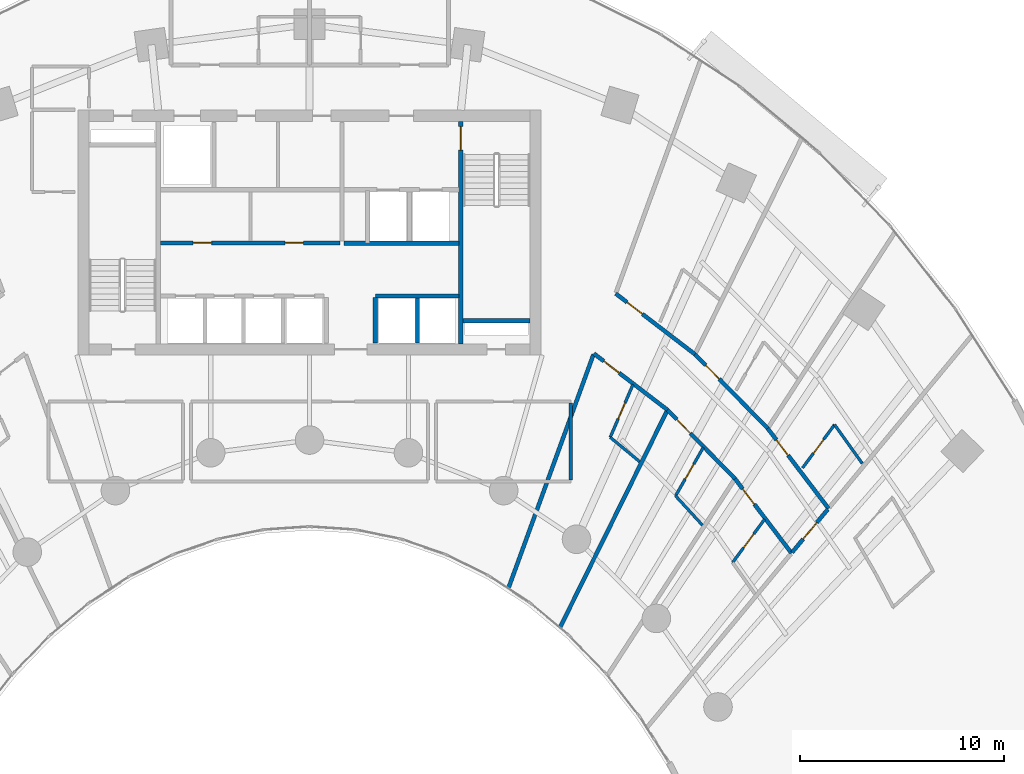
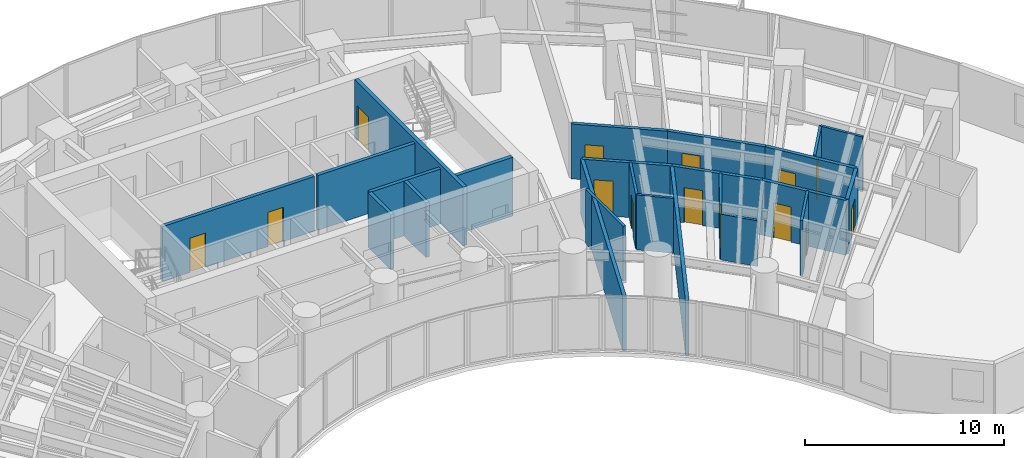
# One storey, part 13 of 18: 24 walls, 14 doors, 14 openings.
"""IFC4 building model written with IfcOpenShell, lengths in metres."""

import ifcopenshell
import ifcopenshell.guid

model = None  # the IFC model being written
_history = None  # IfcOwnerHistory: only IFC2X3 demands one
_inside = {}  # id of a spatial element -> (the spatial element, [elements in it])
_under = {}  # id of a project, library or spatial element -> (it, [spatial elements below it])
_declared = {}  # id of a project -> (the project, [libraries it declares])
_typed = {}  # id of a type object -> (the type object, [elements of that type])
_made_of = {}  # id of a material, layer set ... -> (it, [elements and type objects made of it])


def new_model(schema):
    """Start an empty IFC model of exactly this schema.

    Asked for "IFC4X3", IfcOpenShell would pick the latest addendum, in which some entities
    have other attributes; the version numbers below select the first issue.
    IFC2X3 requires an IfcOwnerHistory on every rooted entity: one is made here for all.
    """
    global model, _history
    if schema == "IFC4X3":
        model = ifcopenshell.file(schema_version=(4, 3, 0, 0))
    else:
        model = ifcopenshell.file(schema=schema)
    _inside.clear()
    _under.clear()
    _declared.clear()
    _typed.clear()
    _made_of.clear()
    _history = None
    if model.schema == "IFC2X3":
        org = make("IfcOrganization", Name="unknown")
        user = make(
            "IfcPersonAndOrganization",
            ThePerson=make("IfcPerson", FamilyName="unknown"),
            TheOrganization=org,
        )
        app = make(
            "IfcApplication",
            ApplicationDeveloper=org,
            Version="unknown",
            ApplicationFullName="unknown",
            ApplicationIdentifier="unknown",
        )
        _history = make(
            "IfcOwnerHistory",
            OwningUser=user,
            OwningApplication=app,
            ChangeAction="ADDED",
            CreationDate=0,
        )
    return model


def make(cls, **values):
    """One entity of the class cls with the attributes given. An attribute that is None is left unset."""
    return model.create_entity(
        cls, **{name: value for name, value in values.items() if value is not None}
    )


def rooted(cls, **values):
    """An entity with a GlobalId (a new one), such as an element, a storey or a relation."""
    return make(cls, GlobalId=ifcopenshell.guid.new(), OwnerHistory=_history, **values)


def si_unit(unit_type, name, prefix=None):
    """IfcSIUnit, for example si_unit("LENGTHUNIT", "METRE", prefix="MILLI")."""
    return make("IfcSIUnit", UnitType=unit_type, Prefix=prefix, Name=name)


def assignment(units):
    """IfcUnitAssignment: the units of a project."""
    return None if units is None else make("IfcUnitAssignment", Units=units)


def point(xyz):
    """IfcCartesianPoint."""
    return None if xyz is None else make("IfcCartesianPoint", Coordinates=xyz)


def direction(xyz):
    """IfcDirection."""
    return None if xyz is None else make("IfcDirection", DirectionRatios=xyz)


def frame(location, z_axis=None, x_axis=None):
    """IfcAxis2Placement3D, a coordinate frame: its origin and axes. An axis left out is left unset."""
    return make(
        "IfcAxis2Placement3D",
        Location=point(location),
        Axis=direction(z_axis),
        RefDirection=direction(x_axis),
    )


def frame_2d(location, x_axis=None):
    """IfcAxis2Placement2D, a coordinate frame in the plane: its origin and x axis."""
    return make(
        "IfcAxis2Placement2D", Location=point(location), RefDirection=direction(x_axis)
    )


def origin():
    """The frame at (0, 0, 0) with its axes left unset."""
    return frame((0.0, 0.0, 0.0))


def place(relative_to, where):
    """IfcLocalPlacement: puts the frame where relative to a parent placement (None: the world)."""
    return make(
        "IfcLocalPlacement", PlacementRelTo=relative_to, RelativePlacement=where
    )


def context(
    kind, dimensions, precision=None, world=None, true_north=None, identifier=None
):
    """IfcGeometricRepresentationContext, for example the 3D "Model" context."""
    return make(
        "IfcGeometricRepresentationContext",
        ContextIdentifier=identifier,
        ContextType=kind,
        CoordinateSpaceDimension=dimensions,
        Precision=precision,
        WorldCoordinateSystem=world,
        TrueNorth=true_north,
    )


def subcontext(parent, identifier, kind, view, scale=None):
    """IfcGeometricRepresentationSubContext, for example "Body" below "Model"."""
    return make(
        "IfcGeometricRepresentationSubContext",
        ContextIdentifier=identifier,
        ContextType=kind,
        ParentContext=parent,
        TargetScale=scale,
        TargetView=view,
    )


def project(units=None, contexts=None):
    """IfcProject with its units and contexts."""
    return rooted(
        "IfcProject",
        Name="project",
        RepresentationContexts=contexts,
        UnitsInContext=assignment(units),
    )


def spatial(cls, under=None, at=None, **own):
    """A site, building, storey or space (cls), placed at a placement, below another one or the project."""
    s = rooted(cls, ObjectPlacement=at, **own)
    if under is not None:
        _under.setdefault(under.id(), (under, []))[1].append(s)
    return s


def profile(cls, at=None, kind="AREA", **sizes):
    """A parametric profile (cls). Its sizes go by their IFC names, for example OverallWidth=200.0."""
    return make(cls, ProfileType=kind, Position=at, **sizes)


def rectangle(**sizes):
    """IfcRectangleProfileDef."""
    return profile("IfcRectangleProfileDef", **sizes)


def extrude(swept, where, along, depth):
    """IfcExtrudedAreaSolid: the profile swept, set in the frame where, extruded along a direction by depth."""
    return make(
        "IfcExtrudedAreaSolid",
        SweptArea=swept,
        Position=where,
        ExtrudedDirection=direction(along),
        Depth=depth,
    )


def shape(context_of_items, identifier, shape_type, items):
    """IfcShapeRepresentation: the items that make up one representation, for example the "Body"."""
    return make(
        "IfcShapeRepresentation",
        ContextOfItems=context_of_items,
        RepresentationIdentifier=identifier,
        RepresentationType=shape_type,
        Items=items,
    )


def source(mapping_origin, context_of_items, identifier, shape_type, items):
    """IfcRepresentationMap: a shape defined once, which mapped items show again and again."""
    return make(
        "IfcRepresentationMap",
        MappingOrigin=mapping_origin,
        MappedRepresentation=shape(context_of_items, identifier, shape_type, items),
    )


def transform(
    local_origin,
    x_axis=None,
    y_axis=None,
    z_axis=None,
    scale=None,
    scale2=None,
    scale3=None,
    uniform=True,
):
    """IfcCartesianTransformationOperator3D, or its non-uniform kind. x_axis, y_axis, z_axis: its Axis1, 2, 3."""
    if uniform:
        return make(
            "IfcCartesianTransformationOperator3D",
            Axis1=direction(x_axis),
            Axis2=direction(y_axis),
            LocalOrigin=point(local_origin),
            Scale=scale,
            Axis3=direction(z_axis),
        )
    return make(
        "IfcCartesianTransformationOperator3DnonUniform",
        Axis1=direction(x_axis),
        Axis2=direction(y_axis),
        LocalOrigin=point(local_origin),
        Scale=scale,
        Axis3=direction(z_axis),
        Scale2=scale2,
        Scale3=scale3,
    )


def mapped(mapping_source, mapping_target):
    """IfcMappedItem: shows the shape of a source again, moved by a transform."""
    return make(
        "IfcMappedItem", MappingSource=mapping_source, MappingTarget=mapping_target
    )


def material(Name=None, Category=None):
    """IfcMaterial."""
    return make("IfcMaterial", Name=Name, Category=Category)


def layer(
    of_material, thickness, ventilated=None, Name=None, Category=None, Priority=None
):
    """IfcMaterialLayer: one layer of a wall or slab, of a material (None: an air gap)."""
    return make(
        "IfcMaterialLayer",
        Material=of_material,
        LayerThickness=thickness,
        IsVentilated=ventilated,
        Name=Name,
        Category=Category,
        Priority=Priority,
    )


def layer_set(layers, Name=None):
    """IfcMaterialLayerSet."""
    return make("IfcMaterialLayerSet", MaterialLayers=layers, LayerSetName=Name)


def made_of(thing, what):
    """Note that an element or type object is made of a material, layer set ...; save() writes the relation."""
    if what is not None:
        _made_of.setdefault(what.id(), (what, []))[1].append(thing)
    return thing


def type_object(cls, material=None, **own):
    """A type object (cls), such as IfcWallType, which elements share."""
    return made_of(rooted(cls, **own), material)


def type_shapes(of_type, sources):
    """Give a type object the sources (RepresentationMaps) that its elements show as mapped items."""
    of_type.RepresentationMaps = sources


def element(
    cls,
    number,
    at=None,
    inside=None,
    cuts=None,
    type_object=None,
    material=None,
    context=None,
    identifier="Body",
    shape_type=None,
    held_by="IfcProductDefinitionShape",
    body=None,
    shapes=None,
    **own,
):
    """One element of the class cls, such as IfcWall. Its Tag is "e" and its number.

    at: its placement. inside: the storey or other place that contains it. cuts: it is an
    opening in that element (IfcRelVoidsElement). A single representation is given by context,
    identifier, shape_type and body (its items); several are given by shapes. held_by: the class
    of the entity that holds the representations. save() writes the other relations.
    """
    e = rooted(cls, Tag="e%d" % number, ObjectPlacement=at, **own)
    if body is not None:
        shapes = [shape(context, identifier, shape_type, body)]
    if shapes is not None:
        e.Representation = make(held_by, Representations=shapes)
    if inside is not None:
        _inside.setdefault(inside.id(), (inside, []))[1].append(e)
    if cuts is not None:
        rooted(
            "IfcRelVoidsElement", RelatingBuildingElement=cuts, RelatedOpeningElement=e
        )
    if type_object is not None:
        _typed.setdefault(type_object.id(), (type_object, []))[1].append(e)
    return made_of(e, material)


def fill(opening, filler):
    """IfcRelFillsElement: the door or window that sits in an opening."""
    return rooted(
        "IfcRelFillsElement",
        RelatingOpeningElement=opening,
        RelatedBuildingElement=filler,
    )


def aggregate(whole, parts):
    """IfcRelAggregates: a whole, such as a stair, and the parts it consists of."""
    return rooted("IfcRelAggregates", RelatingObject=whole, RelatedObjects=parts)


def save(model, path):
    """Write the relations noted so far, then the file.

    IfcRelAggregates (storeys below a building ...), IfcRelContainedInSpatialStructure (elements
    in a storey), IfcRelDefinesByType, IfcRelAssociatesMaterial and IfcRelDeclares: one each for
    every whole, place, type object, material and project.
    """
    for whole, parts in _under.values():
        aggregate(whole, parts)
    for where, things in _inside.values():
        rooted(
            "IfcRelContainedInSpatialStructure",
            RelatedElements=things,
            RelatingStructure=where,
        )
    for kind, things in _typed.values():
        rooted("IfcRelDefinesByType", RelatedObjects=things, RelatingType=kind)
    for what, things in _made_of.values():
        rooted("IfcRelAssociatesMaterial", RelatedObjects=things, RelatingMaterial=what)
    for by, libraries in _declared.values():
        rooted("IfcRelDeclares", RelatingContext=by, RelatedDefinitions=libraries)
    model.write(path)


model = new_model("IFC4")

# Units and contexts
model_context = context("Model", 3, precision=1e-05, world=origin(), true_north=direction((0.0, 1.0)))
body_context = subcontext(model_context, "Body", "Model", "MODEL_VIEW")
ifc_project = project(units=[si_unit("LENGTHUNIT", "METRE"), si_unit("AREAUNIT", "SQUARE_METRE"), si_unit("VOLUMEUNIT", "CUBIC_METRE"), si_unit("PLANEANGLEUNIT", "RADIAN"), si_unit("MASSUNIT", "GRAM", prefix="KILO")], contexts=[model_context])

# Site, building, storey
site_placement = place(None, origin())
site = spatial("IfcSite", under=ifc_project, at=site_placement, CompositionType="ELEMENT")
building_placement = place(site_placement, origin())
building = spatial("IfcBuilding", under=site, at=building_placement, Name="Breltana Convention Tower", CompositionType="ELEMENT")
storey_placement = place(building_placement, frame((0.0, 0.0, 42.60009765625)))
storey = spatial("IfcBuildingStorey", under=building, at=storey_placement, Name="L08", CompositionType="ELEMENT", Elevation=42.60009765625)

# Wall
ifc_material_1 = material(Name="Concrete C50/60", Category="concrete")
ifc_layer_1 = layer(ifc_material_1, 0.39990234375, Name="Concrete C50/60")
ifc_layer_set_1 = layer_set([ifc_layer_1], Name="Concrete C50/60")
wall_type_1 = type_object("IfcWallType", Name="SW-CORE-400", PredefinedType="SHEAR", material=ifc_layer_set_1)
shared_shape_1 = source(origin(), body_context, "Body", "SweptSolid", [
    extrude(rectangle(XDim=3.27001953125, YDim=0.219970703125, at=frame_2d((1.635009765625, 0.0))), origin(), (0.0, 0.0, 1.0), 3.599853515625),
])
wall_1_placement = place(storey_placement, frame((55.530029296875, 61.889892578125, 0.0), z_axis=(0.0, 0.0, 1.0), x_axis=(1.0, 0.0, 0.0)))
element("IfcWall", 1, at=wall_1_placement, inside=storey, type_object=wall_type_1, Name="L08 ST-2 Stairwell South Bearing Wall", PredefinedType="SHEAR", context=body_context, shape_type="MappedRepresentation", body=[
    mapped(shared_shape_1, transform((0.0, 0.0, 0.0), scale=1.0)),
])

# Wall, opening, door
shared_shape_2 = source(origin(), body_context, "Body", "SweptSolid", [
    extrude(rectangle(XDim=10.89990234375, YDim=0.219970703125, at=frame_2d((5.449951171875, 0.0))), origin(), (0.0, 0.0, 1.0), 3.599853515625),
])
wall_2_placement = place(storey_placement, frame((55.419921875, 60.75, 0.0), z_axis=(0.0, 0.0, 1.0), x_axis=(0.0, 1.0, 0.0)))
wall_2 = element("IfcWall", 2, at=wall_2_placement, inside=storey, type_object=wall_type_1, Name="L08 Core East Stair Spine Wall", PredefinedType="SHEAR", context=body_context, shape_type="MappedRepresentation", body=[
    mapped(shared_shape_2, transform((0.0, 0.0, 0.0), scale=1.0)),
])
opening_1_placement = place(wall_2_placement, frame((9.4951171875, 0.0, 0.0)))
opening_1 = element("IfcOpeningElement", 3, at=opening_1_placement, cuts=wall_2, Name="Opening D-11", PredefinedType="OPENING", context=body_context, shape_type="SweptSolid", body=[
    extrude(rectangle(XDim=1.14990234375, YDim=2.14990234375, at=frame_2d((0.574951171875, 1.074951171875))), frame((0.0, 0.1201171875, 0.0), z_axis=(0.0, -1.0, 0.0), x_axis=(1.0, 0.0, 0.0)), (0.0, 0.0, 1.0), 0.239990234375),
])
ifc_material_2 = material(Name="Steel Stair Exit Door", Category="steel")
door_type_1 = type_object("IfcDoorType", Name="DR-FD120-1150", OperationType="NOTDEFINED", PredefinedType="DOOR", material=ifc_material_2)
shared_shape_3 = source(origin(), body_context, "Body", "SweptSolid", [
    extrude(rectangle(XDim=1.14990234375, YDim=2.14990234375, at=frame_2d((0.574951171875, 1.074951171875))), frame((0.0, 0.02490234375, 0.0), z_axis=(0.0, -1.0, 0.0), x_axis=(1.0, 0.0, 0.0)), (0.0, 0.0, 1.0), 0.050048828125),
])
type_shapes(door_type_1, [shared_shape_3])
door_1_placement = place(opening_1_placement, origin())
door_1 = element("IfcDoor", 4, at=door_1_placement, inside=storey, type_object=door_type_1, Name="L08 interior door D-L08-ST2", OperationType="SINGLE_SWING_LEFT", OverallHeight=2.14990234375, OverallWidth=1.14990234375, PredefinedType="DOOR", context=body_context, shape_type="MappedRepresentation", body=[
    mapped(shared_shape_3, transform((0.0, 0.0, 0.0), scale=1.0)),
])
fill(opening_1, door_1)

# Walls
ifc_material_3 = material(Name="Moisture-Resistant En-Suite Partition")
ifc_layer_2 = layer(ifc_material_3, 0.139892578125, Name="Moisture-Resistant En-Suite Partition")
ifc_layer_set_2 = layer_set([ifc_layer_2], Name="Moisture-Resistant En-Suite Partition")
wall_type_2 = type_object("IfcWallType", Name="WL-WET-150", PredefinedType="PARTITIONING", material=ifc_layer_set_2)
shared_shape_4 = source(origin(), body_context, "Body", "SweptSolid", [
    extrude(rectangle(XDim=1.946533203125, YDim=0.139892578125, at=frame_2d((0.97314453125, 0.0))), origin(), (0.0, 0.0, 1.0), 2.802978515625),
])
wall_3_placement = place(storey_placement, frame((65.936279296875, 53.2998046875, 0.0), z_axis=(0.0, 0.0, 1.0), x_axis=(0.675383794012, -0.737466426888, 0.0)))
element("IfcWall", 5, at=wall_3_placement, inside=storey, type_object=wall_type_2, Name="L08 interior partition W-L08-HK10E-BK", PredefinedType="PARTITIONING", context=body_context, shape_type="MappedRepresentation", body=[
    mapped(shared_shape_4, transform((0.0, 0.0, 0.0), scale=1.0)),
])
ifc_material_4 = material(Name="Autoclaved Aerated Concrete Block", Category="concrete")
ifc_layer_3 = layer(ifc_material_4, 0.199951171875, Name="Autoclaved Aerated Concrete Block")
ifc_layer_set_3 = layer_set([ifc_layer_3], Name="Autoclaved Aerated Concrete Block")
wall_type_3 = type_object("IfcWallType", Name="WL-SHAFT-200", PredefinedType="SOLIDWALL", material=ifc_layer_set_3)
shared_shape_5 = source(origin(), body_context, "Body", "SweptSolid", [
    extrude(rectangle(XDim=2.239990234375, YDim=0.199951171875, at=frame_2d((1.1201171875, 0.0))), origin(), (0.0, 0.0, 1.0), 3.35986328125),
])
wall_4_placement = place(storey_placement, frame((51.219970703125, 60.780029296875, 0.0), z_axis=(0.0, 0.0, 1.0), x_axis=(0.0, 1.0, 0.0)))
element("IfcWall", 6, at=wall_4_placement, inside=storey, type_object=wall_type_3, Name="L08 interior partition W-L08-PORT-E", PredefinedType="SOLIDWALL", context=body_context, shape_type="MappedRepresentation", body=[
    mapped(shared_shape_5, transform((0.0, 0.0, 0.0), scale=1.0)),
])
shared_shape_6 = source(origin(), body_context, "Body", "SweptSolid", [
    extrude(rectangle(XDim=5.6201171875, YDim=0.199951171875, at=frame_2d((2.81005859375, 0.0))), origin(), (0.0, 0.0, 1.0), 3.35986328125),
])
wall_5_placement = place(storey_placement, frame((49.699951171875, 65.679931640625, 0.0), z_axis=(0.0, 0.0, 1.0), x_axis=(1.0, 0.0, 0.0)))
element("IfcWall", 7, at=wall_5_placement, inside=storey, type_object=wall_type_3, Name="L08 interior partition W-L08-FL-S", PredefinedType="SOLIDWALL", context=body_context, shape_type="MappedRepresentation", body=[
    mapped(shared_shape_6, transform((0.0, 0.0, 0.0), scale=1.0)),
])

# Wall, openings, doors
shared_shape_7 = source(origin(), body_context, "Body", "SweptSolid", [
    extrude(rectangle(XDim=8.800048828125, YDim=0.199951171875, at=frame_2d((4.39990234375, 0.0))), origin(), (0.0, 0.0, 1.0), 3.35986328125),
])
wall_6_placement = place(storey_placement, frame((40.699951171875, 65.699951171875, 0.0), z_axis=(0.0, 0.0, 1.0), x_axis=(1.0, 0.0, 0.0)))
wall_6 = element("IfcWall", 8, at=wall_6_placement, inside=storey, type_object=wall_type_3, Name="L08 interior partition W-L08-SH-M-FRONT", PredefinedType="SOLIDWALL", context=body_context, shape_type="MappedRepresentation", body=[
    mapped(shared_shape_7, transform((0.0, 0.0, 0.0), scale=1.0)),
])
opening_2_placement = place(wall_6_placement, frame((1.60009765625, 0.0, 0.0)))
opening_2 = element("IfcOpeningElement", 9, at=opening_2_placement, cuts=wall_6, Name="Opening D-18", PredefinedType="OPENING", context=body_context, shape_type="SweptSolid", body=[
    extrude(rectangle(XDim=0.89990234375, YDim=2.10009765625, at=frame_2d((0.449951171875, 1.050048828125))), frame((0.0, 0.10986328125, 0.0), z_axis=(0.0, -1.0, 0.0), x_axis=(1.0, 0.0, 0.0)), (0.0, 0.0, 1.0), 0.219970703125),
])
opening_3_placement = place(wall_6_placement, frame((6.10009765625, 0.0, 0.0)))
opening_3 = element("IfcOpeningElement", 10, at=opening_3_placement, cuts=wall_6, Name="Opening D-18", PredefinedType="OPENING", context=body_context, shape_type="SweptSolid", body=[
    extrude(rectangle(XDim=0.89990234375, YDim=2.10009765625, at=frame_2d((0.449951171875, 1.050048828125))), frame((0.0, 0.10986328125, 0.0), z_axis=(0.0, -1.0, 0.0), x_axis=(1.0, 0.0, 0.0)), (0.0, 0.0, 1.0), 0.219970703125),
])
ifc_material_5 = material(Name="Steel Riser Fire Door", Category="steel")
door_type_2 = type_object("IfcDoorType", Name="DR-FD60-900", OperationType="NOTDEFINED", PredefinedType="DOOR", material=ifc_material_5)
shared_shape_8 = source(origin(), body_context, "Body", "SweptSolid", [
    extrude(rectangle(XDim=0.89990234375, YDim=2.10009765625, at=frame_2d((0.449951171875, 1.050048828125))), frame((0.0, 0.02490234375, 0.0), z_axis=(0.0, -1.0, 0.0), x_axis=(1.0, 0.0, 0.0)), (0.0, 0.0, 1.0), 0.050048828125),
])
type_shapes(door_type_2, [shared_shape_8])
door_2_placement = place(opening_2_placement, origin())
door_2 = element("IfcDoor", 11, at=door_2_placement, inside=storey, type_object=door_type_2, Name="L08 interior door D-L08-LV7-B2A", OperationType="SINGLE_SWING_RIGHT", OverallHeight=2.10009765625, OverallWidth=0.89990234375, PredefinedType="DOOR", context=body_context, shape_type="MappedRepresentation", body=[
    mapped(shared_shape_8, transform((0.0, 0.0, 0.0), scale=1.0)),
])
fill(opening_2, door_2)
door_3_placement = place(opening_3_placement, origin())
door_3 = element("IfcDoor", 12, at=door_3_placement, inside=storey, type_object=door_type_2, Name="L08 interior door D-L08-LV7-B2B", OperationType="SINGLE_SWING_LEFT", OverallHeight=2.10009765625, OverallWidth=0.89990234375, PredefinedType="DOOR", context=body_context, shape_type="MappedRepresentation", body=[
    mapped(shared_shape_8, transform((0.0, 0.0, 0.0), scale=1.0)),
])
fill(opening_3, door_3)

# Walls
shared_shape_9 = source(origin(), body_context, "Body", "SweptSolid", [
    extrude(rectangle(XDim=4.10009765625, YDim=0.199951171875, at=frame_2d((2.050048828125, 0.0))), origin(), (0.0, 0.0, 1.0), 3.35986328125),
])
wall_7_placement = place(storey_placement, frame((51.219970703125, 63.10009765625, 0.0), z_axis=(0.0, 0.0, 1.0), x_axis=(1.0, 0.0, 0.0)))
element("IfcWall", 13, at=wall_7_placement, inside=storey, type_object=wall_type_3, Name="L08 interior partition W-L08-SH-X-FRONT", PredefinedType="SOLIDWALL", context=body_context, shape_type="MappedRepresentation", body=[
    mapped(shared_shape_9, transform((0.0, 0.0, 0.0), scale=1.0)),
])
shared_shape_10 = source(origin(), body_context, "Body", "SweptSolid", [
    extrude(rectangle(XDim=2.199951171875, YDim=0.199951171875, at=frame_2d((1.10009765625, 0.0))), origin(), (0.0, 0.0, 1.0), 3.35986328125),
])
wall_8_placement = place(storey_placement, frame((53.280029296875, 60.800048828125, 0.0), z_axis=(0.0, 0.0, 1.0), x_axis=(0.0, 1.0, 0.0)))
element("IfcWall", 14, at=wall_8_placement, inside=storey, type_object=wall_type_3, Name="L08 interior partition W-L08-SH-X-DIV", PredefinedType="SOLIDWALL", context=body_context, shape_type="MappedRepresentation", body=[
    mapped(shared_shape_10, transform((0.0, 0.0, 0.0), scale=1.0)),
])
ifc_material_6 = material(Name="Gypsum Acoustic Drywall Partition")
ifc_layer_4 = layer(ifc_material_6, 0.14990234375, Name="Gypsum Acoustic Drywall Partition")
ifc_layer_set_4 = layer_set([ifc_layer_4], Name="Gypsum Acoustic Drywall Partition")
wall_type_4 = type_object("IfcWallType", Name="WL-PART-150", PredefinedType="PARTITIONING", material=ifc_layer_set_4)
shared_shape_11 = source(origin(), body_context, "Body", "SweptSolid", [
    extrude(rectangle(XDim=3.78515625, YDim=0.14990234375, at=frame_2d((1.892578125, 0.0))), origin(), (0.0, 0.0, 1.0), 3.35986328125),
])
wall_9_placement = place(storey_placement, frame((60.800048828125, 54.0673828125, 0.0), z_axis=(0.0, 0.0, 1.0), x_axis=(0.0, 1.0, 0.0)))
element("IfcWall", 15, at=wall_9_placement, inside=storey, type_object=wall_type_4, Name="L08 interior partition W-L08-HMT-E", PredefinedType="PARTITIONING", context=body_context, shape_type="MappedRepresentation", body=[
    mapped(shared_shape_11, transform((0.0, 0.0, 0.0), scale=1.0)),
])

# Wall, opening, door
ifc_material_7 = material(Name="Gypsum Acoustic Hotel Wall")
ifc_layer_5 = layer(ifc_material_7, 0.195068359375, Name="Gypsum Acoustic Hotel Wall")
ifc_layer_set_5 = layer_set([ifc_layer_5], Name="Gypsum Acoustic Hotel Wall")
wall_type_5 = type_object("IfcWallType", Name="WL-HOTEL-200", PredefinedType="PARTITIONING", material=ifc_layer_set_5)
shared_shape_12 = source(origin(), body_context, "Body", "SweptSolid", [
    extrude(rectangle(XDim=4.927734375, YDim=0.195068359375, at=frame_2d((2.4638671875, 0.0))), origin(), (0.0, 0.0, 1.0), 3.35986328125),
])
wall_10_placement = place(storey_placement, frame((70.4501953125, 56.607177734375, 0.0), z_axis=(0.0, 0.0, 1.0), x_axis=(0.604793043708, -0.796382680803, 0.0)))
wall_10 = element("IfcWall", 16, at=wall_10_placement, inside=storey, type_object=wall_type_5, Name="L08 interior partition W-L08-HK11-COR", PredefinedType="PARTITIONING", context=body_context, shape_type="MappedRepresentation", body=[
    mapped(shared_shape_12, transform((0.0, 0.0, 0.0), scale=1.0)),
])
opening_4_placement = place(wall_10_placement, frame((0.70751953125, 0.0, 0.0)))
opening_4 = element("IfcOpeningElement", 17, at=opening_4_placement, cuts=wall_10, Name="Opening D-14", PredefinedType="OPENING", context=body_context, shape_type="SweptSolid", body=[
    extrude(rectangle(XDim=0.949951171875, YDim=2.14990234375, at=frame_2d((0.47509765625, 1.074951171875))), frame((0.0, 0.107421875, 0.0), z_axis=(0.0, -1.0, 0.0), x_axis=(1.0, 0.0, 0.0)), (0.0, 0.0, 1.0), 0.215087890625),
])
ifc_material_8 = material(Name="Timber Solid-Core Fire Door", Category="wood")
door_type_3 = type_object("IfcDoorType", Name="DR-FD60-950", OperationType="NOTDEFINED", PredefinedType="DOOR", material=ifc_material_8)
shared_shape_13 = source(origin(), body_context, "Body", "SweptSolid", [
    extrude(rectangle(XDim=0.949951171875, YDim=2.14990234375, at=frame_2d((0.47509765625, 1.074951171875))), frame((0.0, 0.02490234375, 0.0), z_axis=(0.0, -1.0, 0.0), x_axis=(1.0, 0.0, 0.0)), (0.0, 0.0, 1.0), 0.050048828125),
])
type_shapes(door_type_3, [shared_shape_13])
door_4_placement = place(opening_4_placement, origin())
door_4 = element("IfcDoor", 18, at=door_4_placement, inside=storey, type_object=door_type_3, Name="L08 interior door D-L08-HK11", OperationType="SINGLE_SWING_LEFT", OverallHeight=2.14990234375, OverallWidth=0.949951171875, PredefinedType="DOOR", context=body_context, shape_type="MappedRepresentation", body=[
    mapped(shared_shape_13, transform((0.0, 0.0, 0.0), scale=1.0)),
])
fill(opening_4, door_4)

# Wall
shared_shape_14 = source(origin(), body_context, "Body", "SweptSolid", [
    extrude(rectangle(XDim=2.33740234375, YDim=0.139892578125, at=frame_2d((1.168701171875, 0.0))), origin(), (0.0, 0.0, 1.0), 3.35986328125),
])
wall_11_placement = place(storey_placement, frame((73.727294921875, 56.788818359375, 0.0), z_axis=(0.0, 0.0, 1.0), x_axis=(0.580862665959, -0.814001574504, 0.0)))
element("IfcWall", 19, at=wall_11_placement, inside=storey, type_object=wall_type_2, Name="L08 interior partition W-L08-HK11E-BK", PredefinedType="PARTITIONING", context=body_context, shape_type="MappedRepresentation", body=[
    mapped(shared_shape_14, transform((0.0, 0.0, 0.0), scale=1.0)),
])

# Wall, opening, door
shared_shape_15 = source(origin(), body_context, "Body", "SweptSolid", [
    extrude(rectangle(XDim=2.639892578125, YDim=0.139892578125, at=frame_2d((1.31982421875, 0.0))), origin(), (0.0, 0.0, 1.0), 3.35986328125),
])
wall_12_placement = place(storey_placement, frame((72.157470703125, 54.666259765625, 0.0), z_axis=(0.0, 0.0, 1.0), x_axis=(0.594630255283, 0.803999290735, 0.0)))
wall_12 = element("IfcWall", 20, at=wall_12_placement, inside=storey, type_object=wall_type_2, Name="L08 interior partition W-L08-HK11E-SD", PredefinedType="PARTITIONING", context=body_context, shape_type="MappedRepresentation", body=[
    mapped(shared_shape_15, transform((0.0, 0.0, 0.0), scale=1.0)),
])
opening_5_placement = place(wall_12_placement, frame((0.89501953125, 0.0, 0.0)))
opening_5 = element("IfcOpeningElement", 21, at=opening_5_placement, cuts=wall_12, Name="Opening D-21", PredefinedType="OPENING", context=body_context, shape_type="SweptSolid", body=[
    extrude(rectangle(XDim=0.85009765625, YDim=2.050048828125, at=frame_2d((0.425048828125, 1.02490234375))), frame((0.0, 0.080078125, 0.0), z_axis=(0.0, -1.0, 0.0), x_axis=(1.0, 0.0, 0.0)), (0.0, 0.0, 1.0), 0.159912109375),
])
ifc_material_9 = material(Name="Timber Moisture-Resistant En-Suite Door", Category="wood")
door_type_4 = type_object("IfcDoorType", Name="DR-WET-850", OperationType="NOTDEFINED", PredefinedType="DOOR", material=ifc_material_9)
shared_shape_16 = source(origin(), body_context, "Body", "SweptSolid", [
    extrude(rectangle(XDim=0.85009765625, YDim=2.050048828125, at=frame_2d((0.425048828125, 1.02490234375))), frame((0.0, 0.02490234375, 0.0), z_axis=(0.0, -1.0, 0.0), x_axis=(1.0, 0.0, 0.0)), (0.0, 0.0, 1.0), 0.050048828125),
])
type_shapes(door_type_4, [shared_shape_16])
door_5_placement = place(opening_5_placement, origin())
door_5 = element("IfcDoor", 22, at=door_5_placement, inside=storey, type_object=door_type_4, Name="L08 interior door D-L08-HK11E", OperationType="SINGLE_SWING_RIGHT", OverallHeight=2.050048828125, OverallWidth=0.85009765625, PredefinedType="DOOR", context=body_context, shape_type="MappedRepresentation", body=[
    mapped(shared_shape_16, transform((0.0, 0.0, 0.0), scale=1.0)),
])
fill(opening_5, door_5)

wall_13_placement = place(storey_placement, frame((68.7294921875, 50.031005859375, 0.0), z_axis=(0.0, 0.0, 1.0), x_axis=(0.594674469522, 0.803966588422, 0.0)))
wall_13 = element("IfcWall", 23, at=wall_13_placement, inside=storey, type_object=wall_type_2, Name="L08 interior partition W-L08-HK12E-SD", PredefinedType="PARTITIONING", context=body_context, shape_type="MappedRepresentation", body=[
    mapped(shared_shape_15, transform((0.0, 0.0, 0.0), scale=1.0)),
])
opening_6_placement = place(wall_13_placement, frame((0.89501953125, 0.0, 0.0)))
opening_6 = element("IfcOpeningElement", 24, at=opening_6_placement, cuts=wall_13, Name="Opening D-21", PredefinedType="OPENING", context=body_context, shape_type="SweptSolid", body=[
    extrude(rectangle(XDim=0.85009765625, YDim=2.050048828125, at=frame_2d((0.425048828125, 1.02490234375))), frame((0.0, 0.080078125, 0.0), z_axis=(0.0, -1.0, 0.0), x_axis=(1.0, 0.0, 0.0)), (0.0, 0.0, 1.0), 0.159912109375),
])
door_6_placement = place(opening_6_placement, origin())
door_6 = element("IfcDoor", 25, at=door_6_placement, inside=storey, type_object=door_type_4, Name="L08 interior door D-L08-HK12E", OperationType="SINGLE_SWING_RIGHT", OverallHeight=2.050048828125, OverallWidth=0.85009765625, PredefinedType="DOOR", context=body_context, shape_type="MappedRepresentation", body=[
    mapped(shared_shape_16, transform((0.0, 0.0, 0.0), scale=1.0)),
])
fill(opening_6, door_6)

shared_shape_17 = source(origin(), body_context, "Body", "SweptSolid", [
    extrude(rectangle(XDim=4.576171875, YDim=0.195068359375, at=frame_2d((2.2880859375, 0.0))), origin(), (0.0, 0.0, 1.0), 3.35986328125),
])
wall_14_placement = place(storey_placement, frame((68.849609375, 54.139404296875, 0.0), z_axis=(0.0, 0.0, 1.0), x_axis=(0.604795096156, -0.796381122118, 0.0)))
wall_14 = element("IfcWall", 26, at=wall_14_placement, inside=storey, type_object=wall_type_5, Name="L08 interior partition W-L08-HK12-COR", PredefinedType="PARTITIONING", context=body_context, shape_type="MappedRepresentation", body=[
    mapped(shared_shape_17, transform((0.0, 0.0, 0.0), scale=1.0)),
])
opening_7_placement = place(wall_14_placement, frame((0.623291015625, 0.0, 0.0)))
opening_7 = element("IfcOpeningElement", 27, at=opening_7_placement, cuts=wall_14, Name="Opening D-14", PredefinedType="OPENING", context=body_context, shape_type="SweptSolid", body=[
    extrude(rectangle(XDim=0.949951171875, YDim=2.14990234375, at=frame_2d((0.47509765625, 1.074951171875))), frame((0.0, 0.107421875, 0.0), z_axis=(0.0, -1.0, 0.0), x_axis=(1.0, 0.0, 0.0)), (0.0, 0.0, 1.0), 0.215087890625),
])
door_7_placement = place(opening_7_placement, origin())
door_7 = element("IfcDoor", 28, at=door_7_placement, inside=storey, type_object=door_type_3, Name="L08 interior door D-L08-HK12", OperationType="SINGLE_SWING_LEFT", OverallHeight=2.14990234375, OverallWidth=0.949951171875, PredefinedType="DOOR", context=body_context, shape_type="MappedRepresentation", body=[
    mapped(shared_shape_13, transform((0.0, 0.0, 0.0), scale=1.0)),
])
fill(opening_7, door_7)

shared_shape_18 = source(origin(), body_context, "Body", "SweptSolid", [
    extrude(rectangle(XDim=5.0869140625, YDim=0.195068359375, at=frame_2d((2.54345703125, 0.0))), origin(), (0.0, 0.0, 1.0), 3.35986328125),
])
wall_15_placement = place(storey_placement, frame((66.88720703125, 60.23779296875, 0.0), z_axis=(0.0, 0.0, 1.0), x_axis=(0.700428330775, -0.7137227427, 0.0)))
wall_15 = element("IfcWall", 29, at=wall_15_placement, inside=storey, type_object=wall_type_5, Name="L08 interior partition W-L08-HK09-COR", PredefinedType="PARTITIONING", context=body_context, shape_type="MappedRepresentation", body=[
    mapped(shared_shape_18, transform((0.0, 0.0, 0.0), scale=1.0)),
])
opening_8_placement = place(wall_15_placement, frame((0.745849609375, 0.0, 0.0)))
opening_8 = element("IfcOpeningElement", 30, at=opening_8_placement, cuts=wall_15, Name="Opening D-14", PredefinedType="OPENING", context=body_context, shape_type="SweptSolid", body=[
    extrude(rectangle(XDim=0.949951171875, YDim=2.14990234375, at=frame_2d((0.47509765625, 1.074951171875))), frame((0.0, 0.107421875, 0.0), z_axis=(0.0, -1.0, 0.0), x_axis=(1.0, 0.0, 0.0)), (0.0, 0.0, 1.0), 0.215087890625),
])
door_8_placement = place(opening_8_placement, origin())
door_8 = element("IfcDoor", 31, at=door_8_placement, inside=storey, type_object=door_type_3, Name="L08 interior door D-L08-HK09", OperationType="SINGLE_SWING_LEFT", OverallHeight=2.14990234375, OverallWidth=0.949951171875, PredefinedType="DOOR", context=body_context, shape_type="MappedRepresentation", body=[
    mapped(shared_shape_13, transform((0.0, 0.0, 0.0), scale=1.0)),
])
fill(opening_8, door_8)

shared_shape_19 = source(origin(), body_context, "Body", "SweptSolid", [
    extrude(rectangle(XDim=4.724365234375, YDim=0.195068359375, at=frame_2d((2.3623046875, 0.0))), origin(), (0.0, 0.0, 1.0), 3.35986328125),
])
wall_16_placement = place(storey_placement, frame((65.54052734375, 57.51123046875, 0.0), z_axis=(0.0, 0.0, 1.0), x_axis=(0.700435057457, -0.713716141253, 0.0)))
wall_16 = element("IfcWall", 32, at=wall_16_placement, inside=storey, type_object=wall_type_5, Name="L08 interior partition W-L08-HK10-COR", PredefinedType="PARTITIONING", context=body_context, shape_type="MappedRepresentation", body=[
    mapped(shared_shape_19, transform((0.0, 0.0, 0.0), scale=1.0)),
])
opening_9_placement = place(wall_16_placement, frame((0.65869140625, 0.0, 0.0)))
opening_9 = element("IfcOpeningElement", 33, at=opening_9_placement, cuts=wall_16, Name="Opening D-14", PredefinedType="OPENING", context=body_context, shape_type="SweptSolid", body=[
    extrude(rectangle(XDim=0.949951171875, YDim=2.14990234375, at=frame_2d((0.47509765625, 1.074951171875))), frame((0.0, 0.107421875, 0.0), z_axis=(0.0, -1.0, 0.0), x_axis=(1.0, 0.0, 0.0)), (0.0, 0.0, 1.0), 0.215087890625),
])
door_9_placement = place(opening_9_placement, origin())
door_9 = element("IfcDoor", 34, at=door_9_placement, inside=storey, type_object=door_type_3, Name="L08 interior door D-L08-HK10", OperationType="SINGLE_SWING_LEFT", OverallHeight=2.14990234375, OverallWidth=0.949951171875, PredefinedType="DOOR", context=body_context, shape_type="MappedRepresentation", body=[
    mapped(shared_shape_13, transform((0.0, 0.0, 0.0), scale=1.0)),
])
fill(opening_9, door_9)

shared_shape_20 = source(origin(), body_context, "Body", "SweptSolid", [
    extrude(rectangle(XDim=2.7314453125, YDim=0.139892578125, at=frame_2d((1.36572265625, 0.0))), origin(), (0.0, 0.0, 1.0), 3.35986328125),
])
wall_17_placement = place(storey_placement, frame((65.936279296875, 53.2998046875, 0.0), z_axis=(0.0, 0.0, 1.0), x_axis=(0.497120404056, 0.867681568244, 0.0)))
wall_17 = element("IfcWall", 35, at=wall_17_placement, inside=storey, type_object=wall_type_2, Name="L08 interior partition W-L08-HK10E-SD", PredefinedType="PARTITIONING", context=body_context, shape_type="MappedRepresentation", body=[
    mapped(shared_shape_20, transform((0.0, 0.0, 0.0), scale=1.0)),
])
opening_10_placement = place(wall_17_placement, frame((0.94091796875, 0.0, 0.0)))
opening_10 = element("IfcOpeningElement", 36, at=opening_10_placement, cuts=wall_17, Name="Opening D-21", PredefinedType="OPENING", context=body_context, shape_type="SweptSolid", body=[
    extrude(rectangle(XDim=0.85009765625, YDim=2.050048828125, at=frame_2d((0.425048828125, 1.02490234375))), frame((0.0, 0.080078125, 0.0), z_axis=(0.0, -1.0, 0.0), x_axis=(1.0, 0.0, 0.0)), (0.0, 0.0, 1.0), 0.159912109375),
])
door_10_placement = place(opening_10_placement, origin())
door_10 = element("IfcDoor", 37, at=door_10_placement, inside=storey, type_object=door_type_4, Name="L08 interior door D-L08-HK10E", OperationType="SINGLE_SWING_RIGHT", OverallHeight=2.050048828125, OverallWidth=0.85009765625, PredefinedType="DOOR", context=body_context, shape_type="MappedRepresentation", body=[
    mapped(shared_shape_16, transform((0.0, 0.0, 0.0), scale=1.0)),
])
fill(opening_10, door_10)

shared_shape_21 = source(origin(), body_context, "Body", "SweptSolid", [
    extrude(rectangle(XDim=4.894775390625, YDim=0.195068359375, at=frame_2d((2.447265625, 0.0))), origin(), (0.0, 0.0, 1.0), 3.35986328125),
])
wall_18_placement = place(storey_placement, frame((63.001220703125, 63.214111328125, 0.0), z_axis=(0.0, 0.0, 1.0), x_axis=(0.793896075849, -0.608053468661, 0.0)))
wall_18 = element("IfcWall", 38, at=wall_18_placement, inside=storey, type_object=wall_type_5, Name="L08 interior partition W-L08-HK07-COR", PredefinedType="PARTITIONING", context=body_context, shape_type="MappedRepresentation", body=[
    mapped(shared_shape_21, transform((0.0, 0.0, 0.0), scale=1.0)),
])
opening_11_placement = place(wall_18_placement, frame((0.69970703125, 0.0, 0.0)))
opening_11 = element("IfcOpeningElement", 39, at=opening_11_placement, cuts=wall_18, Name="Opening D-14", PredefinedType="OPENING", context=body_context, shape_type="SweptSolid", body=[
    extrude(rectangle(XDim=0.949951171875, YDim=2.14990234375, at=frame_2d((0.47509765625, 1.074951171875))), frame((0.0, 0.107421875, 0.0), z_axis=(0.0, -1.0, 0.0), x_axis=(1.0, 0.0, 0.0)), (0.0, 0.0, 1.0), 0.215087890625),
])
door_11_placement = place(opening_11_placement, origin())
door_11 = element("IfcDoor", 40, at=door_11_placement, inside=storey, type_object=door_type_3, Name="L08 interior door D-L08-HK07", OperationType="SINGLE_SWING_LEFT", OverallHeight=2.14990234375, OverallWidth=0.949951171875, PredefinedType="DOOR", context=body_context, shape_type="MappedRepresentation", body=[
    mapped(shared_shape_13, transform((0.0, 0.0, 0.0), scale=1.0)),
])
fill(opening_11, door_11)

shared_shape_22 = source(origin(), body_context, "Body", "SweptSolid", [
    extrude(rectangle(XDim=4.546142578125, YDim=0.195068359375, at=frame_2d((2.27294921875, 0.0))), origin(), (0.0, 0.0, 1.0), 3.35986328125),
])
wall_19_placement = place(storey_placement, frame((61.931396484375, 60.275390625, 0.0), z_axis=(0.0, 0.0, 1.0), x_axis=(0.793907931297, -0.608037989457, 0.0)))
wall_19 = element("IfcWall", 41, at=wall_19_placement, inside=storey, type_object=wall_type_5, Name="L08 interior partition W-L08-HK08-COR", PredefinedType="PARTITIONING", context=body_context, shape_type="MappedRepresentation", body=[
    mapped(shared_shape_22, transform((0.0, 0.0, 0.0), scale=1.0)),
])
opening_12_placement = place(wall_19_placement, frame((0.6162109375, 0.0, 0.0)))
opening_12 = element("IfcOpeningElement", 42, at=opening_12_placement, cuts=wall_19, Name="Opening D-14", PredefinedType="OPENING", context=body_context, shape_type="SweptSolid", body=[
    extrude(rectangle(XDim=0.949951171875, YDim=2.14990234375, at=frame_2d((0.47509765625, 1.074951171875))), frame((0.0, 0.107421875, 0.0), z_axis=(0.0, -1.0, 0.0), x_axis=(1.0, 0.0, 0.0)), (0.0, 0.0, 1.0), 0.215087890625),
])
door_12_placement = place(opening_12_placement, origin())
door_12 = element("IfcDoor", 43, at=door_12_placement, inside=storey, type_object=door_type_3, Name="L08 interior door D-L08-HK08", OperationType="SINGLE_SWING_LEFT", OverallHeight=2.14990234375, OverallWidth=0.949951171875, PredefinedType="DOOR", context=body_context, shape_type="MappedRepresentation", body=[
    mapped(shared_shape_13, transform((0.0, 0.0, 0.0), scale=1.0)),
])
fill(opening_12, door_12)

# Walls
shared_shape_23 = source(origin(), body_context, "Body", "SweptSolid", [
    extrude(rectangle(XDim=12.1962890625, YDim=0.195068359375, at=frame_2d((6.09814453125, 0.0))), origin(), (0.0, 0.0, 1.0), 3.35986328125),
])
wall_20_placement = place(storey_placement, frame((57.742431640625, 48.766357421875, 0.0), z_axis=(0.0, 0.0, 1.0), x_axis=(0.342022711534, 0.939691686031, 0.0)))
element("IfcWall", 44, at=wall_20_placement, inside=storey, type_object=wall_type_5, Name="L08 interior partition W-L08-HK08-RA", PredefinedType="PARTITIONING", context=body_context, shape_type="MappedRepresentation", body=[
    mapped(shared_shape_23, transform((0.0, 0.0, 0.0), scale=1.0)),
])
shared_shape_24 = source(origin(), body_context, "Body", "SweptSolid", [
    extrude(rectangle(XDim=1.872802734375, YDim=0.139892578125, at=frame_2d((0.9365234375, 0.0))), origin(), (0.0, 0.0, 1.0), 3.35986328125),
])
wall_21_placement = place(storey_placement, frame((62.73388671875, 56.169189453125, 0.0), z_axis=(0.0, 0.0, 1.0), x_axis=(0.77069451688, -0.637204803537, 0.0)))
element("IfcWall", 45, at=wall_21_placement, inside=storey, type_object=wall_type_2, Name="L08 interior partition W-L08-HK08E-BK", PredefinedType="PARTITIONING", context=body_context, shape_type="MappedRepresentation", body=[
    mapped(shared_shape_24, transform((0.0, 0.0, 0.0), scale=1.0)),
])

# Wall, opening, door
shared_shape_25 = source(origin(), body_context, "Body", "SweptSolid", [
    extrude(rectangle(XDim=2.8173828125, YDim=0.139892578125, at=frame_2d((1.40869140625, 0.0))), origin(), (0.0, 0.0, 1.0), 3.35986328125),
])
wall_22_placement = place(storey_placement, frame((62.73388671875, 56.169189453125, 0.0), z_axis=(0.0, 0.0, 1.0), x_axis=(0.395999429727, 0.918250756415, 0.0)))
wall_22 = element("IfcWall", 46, at=wall_22_placement, inside=storey, type_object=wall_type_2, Name="L08 interior partition W-L08-HK08E-SD", PredefinedType="PARTITIONING", context=body_context, shape_type="MappedRepresentation", body=[
    mapped(shared_shape_25, transform((0.0, 0.0, 0.0), scale=1.0)),
])
opening_13_placement = place(wall_22_placement, frame((0.98388671875, 0.0, 0.0)))
opening_13 = element("IfcOpeningElement", 47, at=opening_13_placement, cuts=wall_22, Name="Opening D-21", PredefinedType="OPENING", context=body_context, shape_type="SweptSolid", body=[
    extrude(rectangle(XDim=0.85009765625, YDim=2.050048828125, at=frame_2d((0.425048828125, 1.02490234375))), frame((0.0, 0.080078125, 0.0), z_axis=(0.0, -1.0, 0.0), x_axis=(1.0, 0.0, 0.0)), (0.0, 0.0, 1.0), 0.159912109375),
])
door_13_placement = place(opening_13_placement, origin())
door_13 = element("IfcDoor", 48, at=door_13_placement, inside=storey, type_object=door_type_4, Name="L08 interior door D-L08-HK08E", OperationType="SINGLE_SWING_RIGHT", OverallHeight=2.050048828125, OverallWidth=0.85009765625, PredefinedType="DOOR", context=body_context, shape_type="MappedRepresentation", body=[
    mapped(shared_shape_16, transform((0.0, 0.0, 0.0), scale=1.0)),
])
fill(opening_13, door_13)

# Wall
shared_shape_26 = source(origin(), body_context, "Body", "SweptSolid", [
    extrude(rectangle(XDim=11.843505859375, YDim=0.195068359375, at=frame_2d((5.921875, 0.0))), origin(), (0.0, 0.0, 1.0), 3.35986328125),
])
wall_23_placement = place(storey_placement, frame((60.2734375, 46.847900390625, 0.0), z_axis=(0.0, 0.0, 1.0), x_axis=(0.442871152218, 0.896585267854, 0.0)))
element("IfcWall", 49, at=wall_23_placement, inside=storey, type_object=wall_type_5, Name="L08 interior partition W-L08-HK08-RB", PredefinedType="PARTITIONING", context=body_context, shape_type="MappedRepresentation", body=[
    mapped(shared_shape_26, transform((0.0, 0.0, 0.0), scale=1.0)),
])

# Wall, opening, door
shared_shape_27 = source(origin(), body_context, "Body", "SweptSolid", [
    extrude(rectangle(XDim=2.748291015625, YDim=0.195068359375, at=frame_2d((1.3740234375, 0.0))), origin(), (0.0, 0.0, 1.0), 3.35986328125),
])
wall_24_placement = place(storey_placement, frame((71.64697265625, 50.531005859375, 0.0), z_axis=(0.0, 0.0, 1.0), x_axis=(0.638111168284, 0.769944242729, 0.0)))
wall_24 = element("IfcWall", 50, at=wall_24_placement, inside=storey, type_object=wall_type_5, Name="L08 interior partition W-L08-CS-E-END", PredefinedType="PARTITIONING", context=body_context, shape_type="MappedRepresentation", body=[
    mapped(shared_shape_27, transform((0.0, 0.0, 0.0), scale=1.0)),
])
opening_14_placement = place(wall_24_placement, frame((0.84912109375, 0.0, 0.0)))
opening_14 = element("IfcOpeningElement", 51, at=opening_14_placement, cuts=wall_24, Name="Opening D-13", PredefinedType="OPENING", context=body_context, shape_type="SweptSolid", body=[
    extrude(rectangle(XDim=1.050048828125, YDim=2.14990234375, at=frame_2d((0.52490234375, 1.074951171875))), frame((0.0, 0.107421875, 0.0), z_axis=(0.0, -1.0, 0.0), x_axis=(1.0, 0.0, 0.0)), (0.0, 0.0, 1.0), 0.215087890625),
])
door_type_5 = type_object("IfcDoorType", Name="DR-FD60-1050", OperationType="NOTDEFINED", PredefinedType="DOOR", material=ifc_material_8)
shared_shape_28 = source(origin(), body_context, "Body", "SweptSolid", [
    extrude(rectangle(XDim=1.050048828125, YDim=2.14990234375, at=frame_2d((0.52490234375, 1.074951171875))), frame((0.0, 0.02490234375, 0.0), z_axis=(0.0, -1.0, 0.0), x_axis=(1.0, 0.0, 0.0)), (0.0, 0.0, 1.0), 0.050048828125),
])
type_shapes(door_type_5, [shared_shape_28])
door_14_placement = place(opening_14_placement, origin())
door_14 = element("IfcDoor", 52, at=door_14_placement, inside=storey, type_object=door_type_5, Name="L08 interior door D-L08-CS-E", OperationType="SINGLE_SWING_LEFT", OverallHeight=2.14990234375, OverallWidth=1.050048828125, PredefinedType="DOOR", context=body_context, shape_type="MappedRepresentation", body=[
    mapped(shared_shape_28, transform((0.0, 0.0, 0.0), scale=1.0)),
])
fill(opening_14, door_14)

save(model, "model.ifc")
